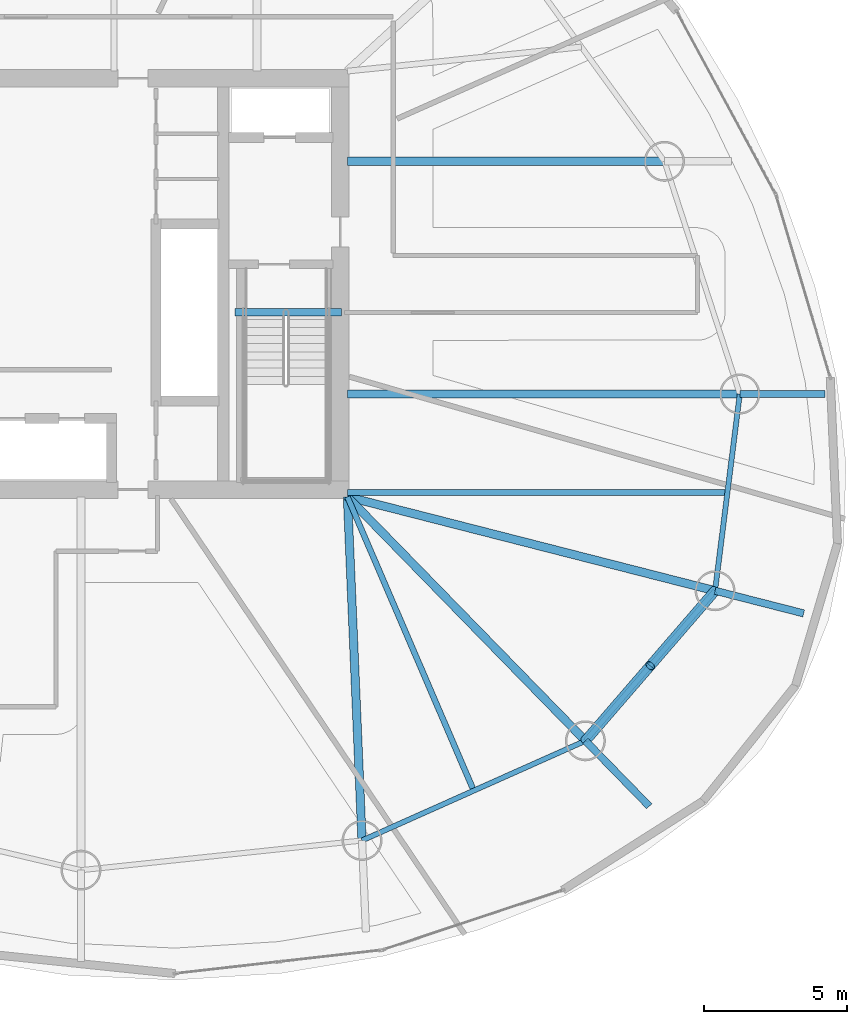
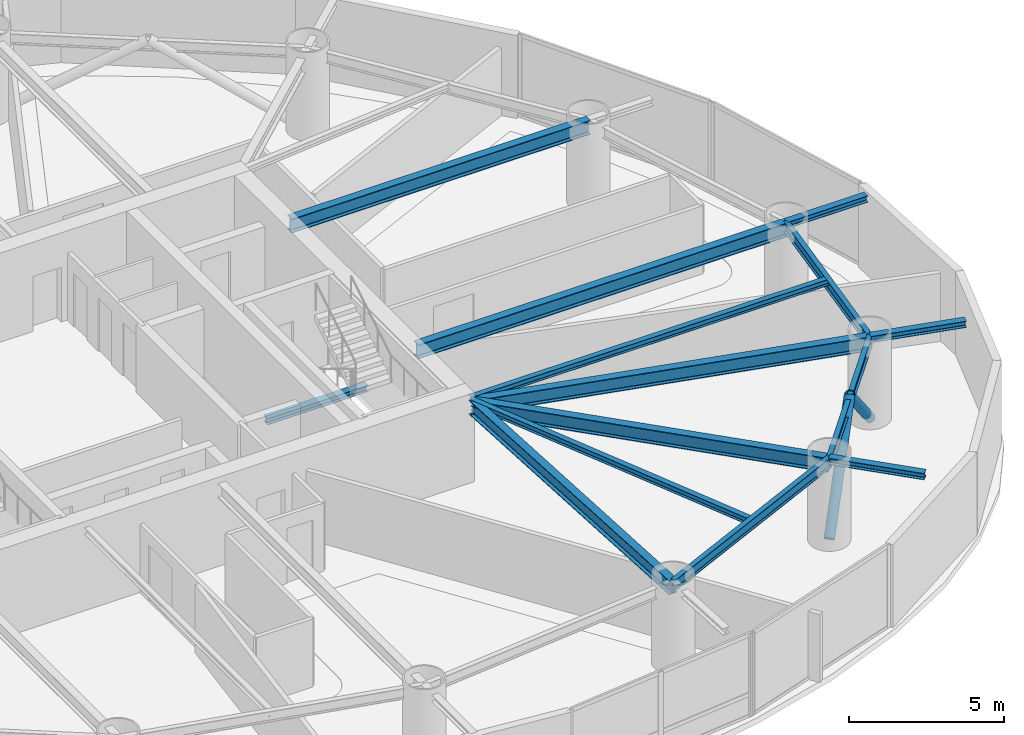
# One storey, part 8 of 22: 14 beams, 2 members.
"""IFC4 building model written with IfcOpenShell, lengths in metres."""

from ifc_helpers import new_model, si_unit, direction, frame, origin, origin_2d, place, context, subcontext, project, spatial, hollow_circle, i_section, extrude, material, material_profile, profile_set, type_object, element, save


model = new_model("IFC4")

# Units and contexts
model_context = context("Model", 3, precision=1e-05, world=origin(), true_north=direction((0.0, 1.0)))
body_context = subcontext(model_context, "Body", "Model", "MODEL_VIEW")
ifc_project = project(units=[si_unit("LENGTHUNIT", "METRE"), si_unit("AREAUNIT", "SQUARE_METRE"), si_unit("VOLUMEUNIT", "CUBIC_METRE"), si_unit("PLANEANGLEUNIT", "RADIAN"), si_unit("MASSUNIT", "GRAM", prefix="KILO")], contexts=[model_context])

# Site, building, storey
site_placement = place(None, origin())
site = spatial("IfcSite", under=ifc_project, at=site_placement, CompositionType="ELEMENT")
building_placement = place(site_placement, origin())
building = spatial("IfcBuilding", under=site, at=building_placement, Name="Bramvorn Convention Spire", CompositionType="ELEMENT")
storey_placement = place(building_placement, frame((0.0, 0.0, 141.300048828125)))
storey = spatial("IfcBuildingStorey", under=building, at=storey_placement, Name="L35", CompositionType="ELEMENT", Elevation=141.300048828125)

# Beams
ifc_material = material(Name="Steel CSA G40.21 Grade 350 (350W)", Category="steel")
ifc_material_profile_1 = material_profile(ifc_material, i_section(OverallWidth=0.201904296875, OverallDepth=0.2470703125, WebThickness=0.00732421875, FlangeThickness=0.010986328125, FilletRadius=0.011962890625, at=origin_2d()))
ifc_profile_set_1 = profile_set([ifc_material_profile_1], Name="Steel CSA G40.21 Grade 350 (350W) - W250X49")
beam_type_1 = type_object("IfcBeamType", Name="BM-W250X49", PredefinedType="JOIST", material=ifc_profile_set_1)
beam_1_placement = place(storey_placement, frame((49.25, 18.705078125, 3.136474609375), z_axis=(1.0, 0.0, 0.0), x_axis=(0.0, 1.0, 0.0)))
element("IfcBeam", 1, at=beam_1_placement, inside=storey, type_object=beam_type_1, Name="L35 composite floor joist 01", PredefinedType="JOIST", context=body_context, shape_type="SweptSolid", body=[
    extrude(i_section(OverallWidth=0.201904296875, OverallDepth=0.2470703125, WebThickness=0.00732421875, FlangeThickness=0.010986328125, FilletRadius=0.011962890625, at=origin_2d()), origin(), (0.0, 0.0, 1.0), 13.30078125),
])
beam_2_placement = place(storey_placement, frame((49.25, 18.550048828125, 3.136474609375), z_axis=(0.394937739893, -0.918707886985, 0.0), x_axis=(0.918707886985, 0.394937739893, 0.0)))
element("IfcBeam", 2, at=beam_2_placement, inside=storey, type_object=beam_type_1, Name="L35 composite floor joist 15", PredefinedType="JOIST", context=body_context, shape_type="SweptSolid", body=[
    extrude(i_section(OverallWidth=0.201904296875, OverallDepth=0.2470703125, WebThickness=0.00732421875, FlangeThickness=0.010986328125, FilletRadius=0.011962890625, at=origin_2d()), origin(), (0.0, 0.0, 1.0), 11.19384765625),
])
ifc_material_profile_2 = material_profile(ifc_material, i_section(OverallWidth=0.25390625, OverallDepth=0.2529296875, WebThickness=0.008544921875, FlangeThickness=0.01416015625, FilletRadius=0.011962890625, at=origin_2d()))
ifc_profile_set_2 = profile_set([ifc_material_profile_2], Name="Steel CSA G40.21 Grade 350 (350W) - W250X73")
beam_type_2 = type_object("IfcBeamType", Name="BM-W250X73", PredefinedType="BEAM", material=ifc_profile_set_2)
beam_3_placement = place(storey_placement, frame((62.11767578125, 15.26220703125, 3.133544921875), z_axis=(0.968868276357, -0.24757678217, 0.0), x_axis=(0.24757678217, 0.968868276357, 0.0)))
element("IfcBeam", 3, at=beam_3_placement, inside=storey, type_object=beam_type_2, Name="L35 slab-edge cantilever tip beam MC01", PredefinedType="BEAM", context=body_context, shape_type="SweptSolid", body=[
    extrude(i_section(OverallWidth=0.25390625, OverallDepth=0.2529296875, WebThickness=0.008544921875, FlangeThickness=0.01416015625, FilletRadius=0.011962890625, at=origin_2d()), origin(), (0.0, 0.0, 1.0), 3.199951171875),
])
beam_4_placement = place(storey_placement, frame((62.983642578125, 22.148193359375, 3.133544921875), z_axis=(1.0, 0.0, 0.0), x_axis=(0.0, 1.0, 0.0)))
element("IfcBeam", 4, at=beam_4_placement, inside=storey, type_object=beam_type_2, Name="L35 slab-edge cantilever tip beam MC02", PredefinedType="BEAM", context=body_context, shape_type="SweptSolid", body=[
    extrude(i_section(OverallWidth=0.25390625, OverallDepth=0.2529296875, WebThickness=0.008544921875, FlangeThickness=0.01416015625, FilletRadius=0.011962890625, at=origin_2d()), origin(), (0.0, 0.0, 1.0), 2.978515625),
])
beam_5_placement = place(storey_placement, frame((57.579833984375, 10.0107421875, 3.133544921875), z_axis=(0.69827808588, -0.715826595468, 0.0), x_axis=(0.715826595468, 0.69827808588, 0.0)))
element("IfcBeam", 5, at=beam_5_placement, inside=storey, type_object=beam_type_2, Name="L35 slab-edge cantilever tip beam MC16", PredefinedType="BEAM", context=body_context, shape_type="SweptSolid", body=[
    extrude(i_section(OverallWidth=0.25390625, OverallDepth=0.2529296875, WebThickness=0.008544921875, FlangeThickness=0.01416015625, FilletRadius=0.011962890625, at=origin_2d()), origin(), (0.0, 0.0, 1.0), 3.199951171875),
])
beam_6_placement = place(storey_placement, frame((45.31005859375, 25.010009765625, -0.12646484375), z_axis=(1.0, 0.0, 0.0), x_axis=(0.0, 1.0, 0.0)))
element("IfcBeam", 6, at=beam_6_placement, inside=storey, type_object=beam_type_2, Name="L35 ST2 stair arrival header beam", PredefinedType="BEAM", context=body_context, shape_type="SweptSolid", body=[
    extrude(i_section(OverallWidth=0.25390625, OverallDepth=0.2529296875, WebThickness=0.008544921875, FlangeThickness=0.01416015625, FilletRadius=0.011962890625, at=origin_2d()), origin(), (0.0, 0.0, 1.0), 3.739990234375),
])
ifc_material_profile_3 = material_profile(ifc_material, i_section(OverallWidth=0.180908203125, OverallDepth=0.4169921875, WebThickness=0.010986328125, FlangeThickness=0.018310546875, FilletRadius=0.01611328125, at=origin_2d()))
ifc_profile_set_3 = profile_set([ifc_material_profile_3], Name="Steel CSA G40.21 Grade 350 (350W) - W410X85")
beam_type_3 = type_object("IfcBeamType", Name="BM-W410X85", PredefinedType="JOIST", material=ifc_profile_set_3)
beam_7_placement = place(storey_placement, frame((62.11767578125, 15.26220703125, 3.051513671875), z_axis=(0.124775053879, 0.992185056292, 0.0), x_axis=(-0.992185056292, 0.124775053879, 0.0)))
element("IfcBeam", 7, at=beam_7_placement, inside=storey, type_object=beam_type_3, Name="L35 mega-column ring beam 01", PredefinedType="JOIST", context=body_context, shape_type="SweptSolid", body=[
    extrude(i_section(OverallWidth=0.180908203125, OverallDepth=0.4169921875, WebThickness=0.010986328125, FlangeThickness=0.018310546875, FilletRadius=0.01611328125, at=origin_2d()), origin(), (0.0, 0.0, 1.0), 6.940185546875),
])
beam_8_placement = place(storey_placement, frame((49.76171875, 6.521240234375, 3.051513671875), z_axis=(0.913169534701, 0.407579931908, 0.0), x_axis=(-0.407579931908, 0.913169534701, 0.0)))
element("IfcBeam", 8, at=beam_8_placement, inside=storey, type_object=beam_type_3, Name="L35 mega-column ring beam 15", PredefinedType="JOIST", context=body_context, shape_type="SweptSolid", body=[
    extrude(i_section(OverallWidth=0.180908203125, OverallDepth=0.4169921875, WebThickness=0.010986328125, FlangeThickness=0.018310546875, FilletRadius=0.01611328125, at=origin_2d()), origin(), (0.0, 0.0, 1.0), 8.5615234375),
])
beam_9_placement = place(storey_placement, frame((57.579833984375, 10.0107421875, 3.051513671875), z_axis=(0.653824993824, 0.756645807132, 0.0), x_axis=(-0.756645807132, 0.653824993824, 0.0)))
element("IfcBeam", 9, at=beam_9_placement, inside=storey, type_object=beam_type_3, Name="L35 mega-column ring beam 16", PredefinedType="JOIST", context=body_context, shape_type="SweptSolid", body=[
    extrude(i_section(OverallWidth=0.180908203125, OverallDepth=0.4169921875, WebThickness=0.010986328125, FlangeThickness=0.018310546875, FilletRadius=0.01611328125, at=origin_2d()), origin(), (0.0, 0.0, 1.0), 6.9404296875),
])
ifc_material_profile_4 = material_profile(ifc_material, i_section(OverallWidth=0.2919921875, OverallDepth=0.551025390625, WebThickness=0.01513671875, FlangeThickness=0.0244140625, FilletRadius=0.01904296875, at=origin_2d()))
ifc_profile_set_4 = profile_set([ifc_material_profile_4], Name="Steel CSA G40.21 Grade 350 (350W) - W530X182")
beam_type_4 = type_object("IfcBeamType", Name="BM-W530X182", PredefinedType="BEAM", material=ifc_profile_set_4)
beam_10_placement = place(storey_placement, frame((49.25, 18.550048828125, 2.984375), z_axis=(0.968872976577, -0.247558387576, 0.0), x_axis=(0.247558387576, 0.968872976577, 0.0)))
element("IfcBeam", 10, at=beam_10_placement, inside=storey, type_object=beam_type_4, Name="L35 radial floor girder MC01", PredefinedType="BEAM", context=body_context, shape_type="SweptSolid", body=[
    extrude(i_section(OverallWidth=0.2919921875, OverallDepth=0.551025390625, WebThickness=0.01513671875, FlangeThickness=0.0244140625, FilletRadius=0.01904296875, at=origin_2d()), origin(), (0.0, 0.0, 1.0), 13.281005859375),
])
beam_11_placement = place(storey_placement, frame((49.25, 22.148193359375, 2.984375), z_axis=(1.0, 0.0, 0.0), x_axis=(0.0, 1.0, 0.0)))
element("IfcBeam", 11, at=beam_11_placement, inside=storey, type_object=beam_type_4, Name="L35 radial floor girder MC02", PredefinedType="BEAM", context=body_context, shape_type="SweptSolid", body=[
    extrude(i_section(OverallWidth=0.2919921875, OverallDepth=0.551025390625, WebThickness=0.01513671875, FlangeThickness=0.0244140625, FilletRadius=0.01904296875, at=origin_2d()), origin(), (0.0, 0.0, 1.0), 13.733642578125),
])
beam_12_placement = place(storey_placement, frame((49.25, 30.293212890625, 2.984375), z_axis=(1.0, 0.0, 0.0), x_axis=(0.0, 1.0, 0.0)))
element("IfcBeam", 12, at=beam_12_placement, inside=storey, type_object=beam_type_4, Name="L35 radial floor girder MC03", PredefinedType="BEAM", context=body_context, shape_type="SweptSolid", body=[
    extrude(i_section(OverallWidth=0.2919921875, OverallDepth=0.551025390625, WebThickness=0.01513671875, FlangeThickness=0.0244140625, FilletRadius=0.01904296875, at=origin_2d()), origin(), (0.0, 0.0, 1.0), 11.095703125),
])
beam_13_placement = place(storey_placement, frame((49.25, 18.550048828125, 2.984375), z_axis=(0.042502657955, -0.999096353745, 0.0), x_axis=(0.999096353745, 0.042502657955, 0.0)))
element("IfcBeam", 13, at=beam_13_placement, inside=storey, type_object=beam_type_4, Name="L35 radial floor girder MC15", PredefinedType="BEAM", context=body_context, shape_type="SweptSolid", body=[
    extrude(i_section(OverallWidth=0.2919921875, OverallDepth=0.551025390625, WebThickness=0.01513671875, FlangeThickness=0.0244140625, FilletRadius=0.01904296875, at=origin_2d()), origin(), (0.0, 0.0, 1.0), 12.039794921875),
])
beam_14_placement = place(storey_placement, frame((49.25, 18.550048828125, 2.984375), z_axis=(0.698272445638, -0.715832097397, 0.0), x_axis=(0.715832097397, 0.698272445638, 0.0)))
element("IfcBeam", 14, at=beam_14_placement, inside=storey, type_object=beam_type_4, Name="L35 radial floor girder MC16", PredefinedType="BEAM", context=body_context, shape_type="SweptSolid", body=[
    extrude(i_section(OverallWidth=0.2919921875, OverallDepth=0.551025390625, WebThickness=0.01513671875, FlangeThickness=0.0244140625, FilletRadius=0.01904296875, at=origin_2d()), origin(), (0.0, 0.0, 1.0), 11.92919921875),
])

# Members
ifc_material_profile_5 = material_profile(ifc_material, hollow_circle(Radius=0.177734375, WallThickness=0.015869140625, at=origin_2d()))
ifc_profile_set_5 = profile_set([ifc_material_profile_5], Name="Steel CSA G40.21 Grade 350 (350W) - CHS356X16")
member_type = type_object("IfcMemberType", Name="MBR-CHS356X16", PredefinedType="BRACE", material=ifc_profile_set_5)
member_1_placement = place(storey_placement, frame((57.579833984375, 10.0107421875, 0.0), z_axis=(0.476512423349, 0.551478652009, 0.684694973526), x_axis=(-0.756663209553, 0.653804854149, 0.0)))
element("IfcMember", 15, at=member_1_placement, inside=storey, type_object=member_type, Name="L35 perimeter Gothic lancet brace 16A", PredefinedType="BRACE", context=body_context, shape_type="SweptSolid", body=[
    extrude(hollow_circle(Radius=0.177734375, WallThickness=0.015869140625, at=origin_2d()), origin(), (0.0, 0.0, 1.0), 4.76123046875),
])
member_2_placement = place(storey_placement, frame((62.11767578125, 15.26220703125, 0.0), z_axis=(-0.476552055337, -0.551465177012, 0.684678243481), x_axis=(0.756628404976, -0.65384513211, 0.0)))
element("IfcMember", 16, at=member_2_placement, inside=storey, type_object=member_type, Name="L35 perimeter Gothic lancet brace 16B", PredefinedType="BRACE", context=body_context, shape_type="SweptSolid", body=[
    extrude(hollow_circle(Radius=0.177734375, WallThickness=0.015869140625, at=origin_2d()), origin(), (0.0, 0.0, 1.0), 4.761474609375),
])

save(model, "model.ifc")
